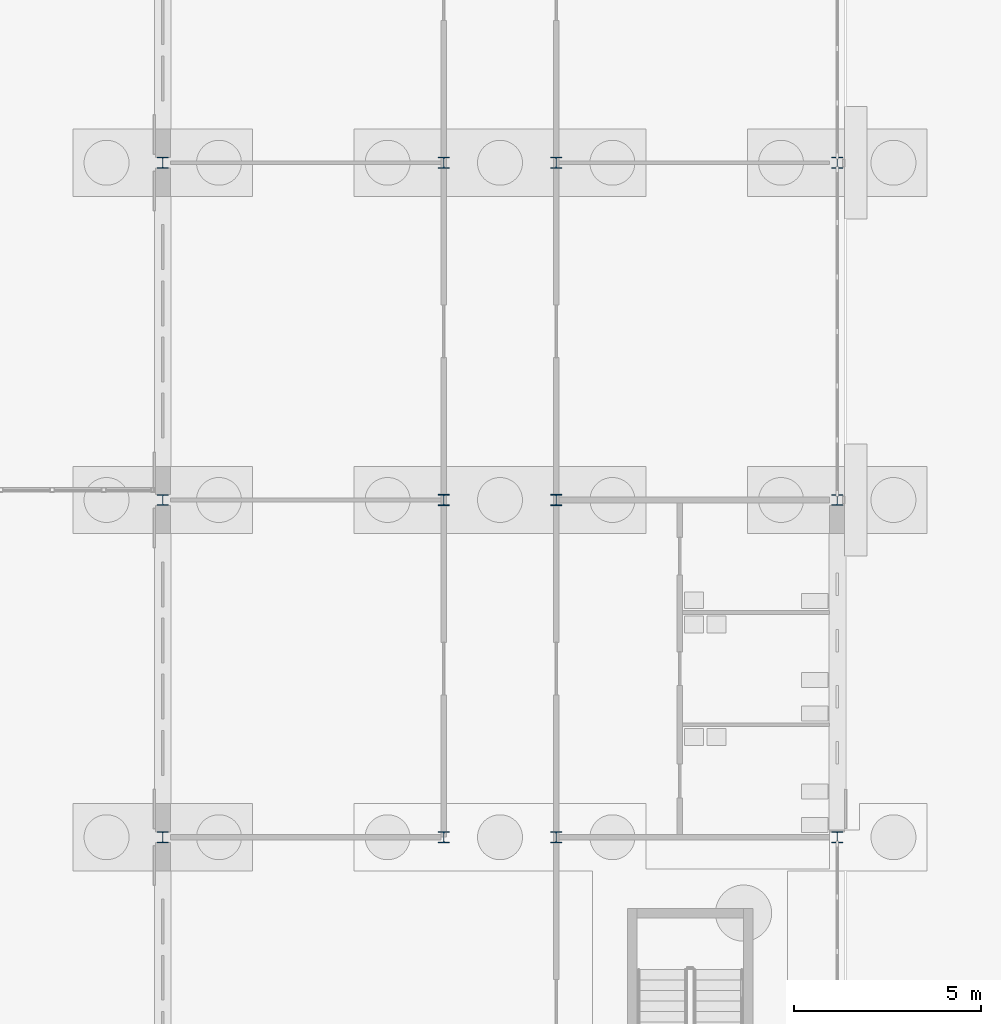
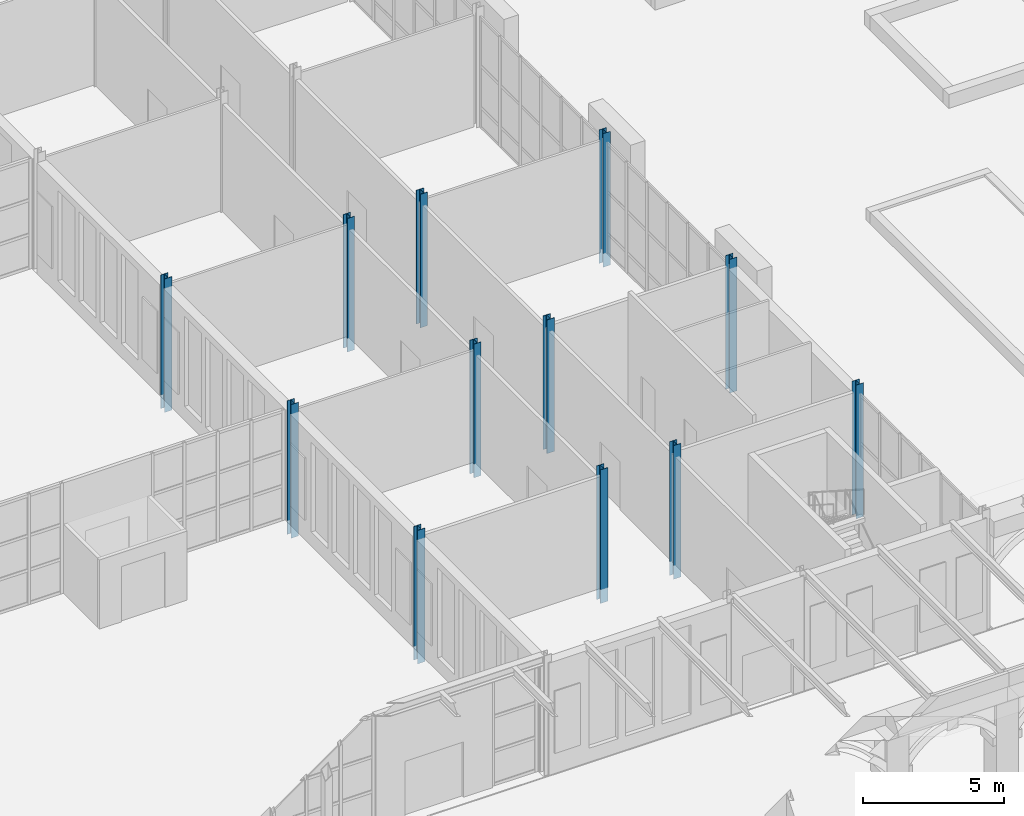
# One storey, part 17 of 168: 12 columns.
"""IFC4 building model written with IfcOpenShell, lengths in metres."""

from ifc_helpers import new_model, si_unit, direction, frame, origin, origin_2d, place, context, subcontext, project, spatial, i_section, extrude, material, material_profile, profile_set, type_object, element, save


model = new_model("IFC4")

# Units and contexts
model_context = context("Model", 3, precision=1e-05, world=origin(), true_north=direction((0.0, 1.0)))
body_context = subcontext(model_context, "Body", "Model", "MODEL_VIEW")
ifc_project = project(units=[si_unit("LENGTHUNIT", "METRE"), si_unit("AREAUNIT", "SQUARE_METRE"), si_unit("VOLUMEUNIT", "CUBIC_METRE"), si_unit("PLANEANGLEUNIT", "RADIAN"), si_unit("MASSUNIT", "GRAM", prefix="KILO")], contexts=[model_context])

# Site, building, storey
site_placement = place(None, origin())
site = spatial("IfcSite", under=ifc_project, at=site_placement, CompositionType="ELEMENT")
building_placement = place(site_placement, origin())
building = spatial("IfcBuilding", under=site, at=building_placement, Name="Golden Quay Civic Hall", CompositionType="ELEMENT")
storey_placement = place(building_placement, origin())
storey = spatial("IfcBuildingStorey", under=building, at=storey_placement, Name="L00", CompositionType="ELEMENT", Elevation=0.0)

# Columns
ifc_material_1 = material(Name="Steel S355", Category="steel")
ifc_material_profile_1 = material_profile(ifc_material_1, i_section(OverallWidth=0.300048828125, OverallDepth=0.2900390625, WebThickness=0.008544921875, FlangeThickness=0.013916015625, FilletRadius=0.027099609375, at=origin_2d()), Name="HEA 300")
ifc_profile_set_1 = profile_set([ifc_material_profile_1], Name="Steel S355")
column_type_1 = type_object("IfcColumnType", Name="Steel column HEA 300", PredefinedType="COLUMN", material=ifc_profile_set_1)
for number, where, z_axis, x_axis, name in (
    (1, (99.0, 9.0, -0.60009765625), (0.0, 0.0, 1.0), (1.0, 0.0, 0.0), "Column 99/9 L00"),
    (2, (99.0, 18.0, -0.60009765625), (0.0, 0.0, 1.0), (1.0, 0.0, 0.0), "Column 99/18 L00"),
    (3, (99.0, 27.0, -0.60009765625), (0.0, 0.0, 1.0), (1.0, 0.0, 0.0), "Column 99/27 L00"),
    (4, (117.0, 9.0, -0.60009765625), (0.0, 0.0, 1.0), (1.0, 0.0, 0.0), "Column 117/9 L00"),
    (5, (117.0, 18.0, -0.60009765625), (0.0, 0.0, 1.0), (1.0, 0.0, 0.0), "Column 117/18 L00"),
    (6, (117.0, 27.0, -0.60009765625), (0.0, 0.0, 1.0), (1.0, 0.0, 0.0), "Column 117/27 L00"),
):
    element("IfcColumn", number, at=place(storey_placement, frame(where, z_axis=z_axis, x_axis=x_axis)), inside=storey, type_object=column_type_1, Name=name, PredefinedType="COLUMN", context=body_context, shape_type="SweptSolid", body=[
        extrude(i_section(OverallWidth=0.300048828125, OverallDepth=0.2900390625, WebThickness=0.008544921875, FlangeThickness=0.013916015625, FilletRadius=0.027099609375, at=origin_2d()), origin(), (0.0, 0.0, 1.0), 5.800048828125),
    ])
ifc_material_2 = material(Name="Steel S355", Category="steel")
ifc_material_profile_2 = material_profile(ifc_material_2, i_section(OverallWidth=0.300048828125, OverallDepth=0.300048828125, WebThickness=0.010986328125, FlangeThickness=0.01904296875, FilletRadius=0.027099609375, at=origin_2d()), Name="HEB 300")
ifc_profile_set_2 = profile_set([ifc_material_profile_2], Name="Steel S355")
column_type_2 = type_object("IfcColumnType", Name="Steel column HEB 300", PredefinedType="COLUMN", material=ifc_profile_set_2)
for number, where, z_axis, x_axis, name in (
    (7, (106.5, 9.0, -0.60009765625), (0.0, 0.0, 1.0), (1.0, 0.0, 0.0), "Column 106.5/9 L00"),
    (8, (106.5, 18.0, -0.60009765625), (0.0, 0.0, 1.0), (1.0, 0.0, 0.0), "Column 106.5/18 L00"),
    (9, (106.5, 27.0, -0.60009765625), (0.0, 0.0, 1.0), (1.0, 0.0, 0.0), "Column 106.5/27 L00"),
    (10, (109.5, 9.0, -0.60009765625), (0.0, 0.0, 1.0), (1.0, 0.0, 0.0), "Column 109.5/9 L00"),
    (11, (109.5, 18.0, -0.60009765625), (0.0, 0.0, 1.0), (1.0, 0.0, 0.0), "Column 109.5/18 L00"),
    (12, (109.5, 27.0, -0.60009765625), (0.0, 0.0, 1.0), (1.0, 0.0, 0.0), "Column 109.5/27 L00"),
):
    element("IfcColumn", number, at=place(storey_placement, frame(where, z_axis=z_axis, x_axis=x_axis)), inside=storey, type_object=column_type_2, Name=name, PredefinedType="COLUMN", context=body_context, shape_type="SweptSolid", body=[
        extrude(i_section(OverallWidth=0.300048828125, OverallDepth=0.300048828125, WebThickness=0.010986328125, FlangeThickness=0.01904296875, FilletRadius=0.027099609375, at=origin_2d()), origin(), (0.0, 0.0, 1.0), 5.800048828125),
    ])

save(model, "model.ifc")
